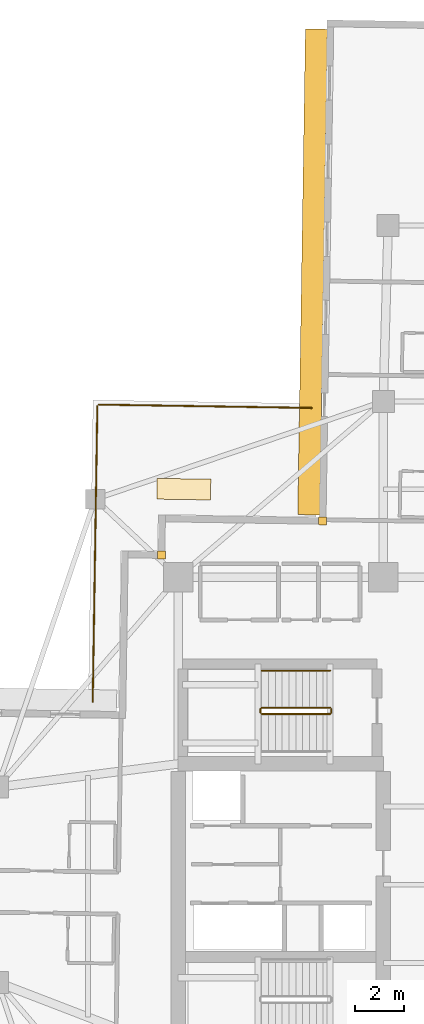
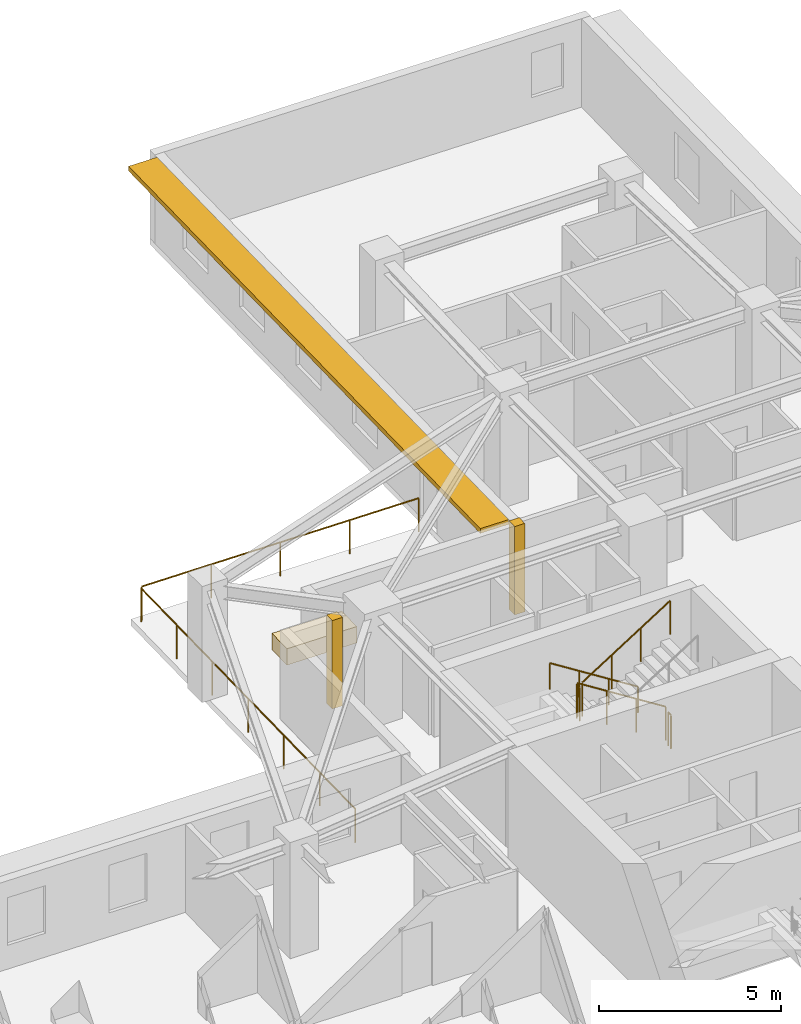
# One storey, part 12 of 13: 7 railings, 3 coverings, 1 shading device.
"""IFC4 building model written with IfcOpenShell, lengths in metres."""

from ifc_helpers import new_model, si_unit, direction, frame, origin, origin_2d, place, context, subcontext, project, spatial, rectangle, circle, extrude, material, layer, layer_set, type_object, element, save


model = new_model("IFC4")

# Units and contexts
model_context = context("Model", 3, precision=1e-05, world=origin(), true_north=direction((0.0, 1.0)))
body_context = subcontext(model_context, "Body", "Model", "MODEL_VIEW")
ifc_project = project(units=[si_unit("LENGTHUNIT", "METRE"), si_unit("AREAUNIT", "SQUARE_METRE"), si_unit("VOLUMEUNIT", "CUBIC_METRE"), si_unit("PLANEANGLEUNIT", "RADIAN"), si_unit("MASSUNIT", "GRAM", prefix="KILO")], contexts=[model_context])

# Site, building, storey
site_placement = place(None, origin())
site = spatial("IfcSite", under=ifc_project, at=site_placement, CompositionType="ELEMENT")
building_placement = place(site_placement, origin())
building = spatial("IfcBuilding", under=site, at=building_placement, Name="Qingluan Cross Belvedere", CompositionType="ELEMENT")
storey_placement = place(building_placement, frame((0.0, 0.0, 148.800048828125)))
storey = spatial("IfcBuildingStorey", under=building, at=storey_placement, Name="L37", CompositionType="ELEMENT", Elevation=148.800048828125)

# Coverings
ifc_material_1 = material(Name="Precast concrete C45", Category="concrete")
ifc_layer_1 = layer(ifc_material_1, 0.1201171875, Name="ConcreteSpandrelCladding_120")
ifc_layer_set_1 = layer_set([ifc_layer_1], Name="Precast concrete C45")
covering_type_1 = type_object("IfcCoveringType", Name="ConcreteSpandrelCladding_120", PredefinedType="CLADDING", material=ifc_layer_set_1)
for number, where, z_axis, x_axis, name in (
    (1, (-13.089599609375, 13.50732421875, 0.0), (0.0, 0.0, 1.0), (0.999876632482, -0.015707317312, 0.0), "Corner closure L37-NW1"),
    (2, (-6.48681640625, 14.90380859375, 0.0), (0.0, 0.0, 1.0), (0.999876632482, -0.015707317312, 0.0), "Corner closure L37-NW2"),
):
    element("IfcCovering", number, at=place(storey_placement, frame(where, z_axis=z_axis, x_axis=x_axis)), inside=storey, type_object=covering_type_1, Name=name, PredefinedType="CLADDING", context=body_context, shape_type="SweptSolid", body=[
        extrude(rectangle(XDim=0.320068359375, YDim=0.320068359375, at=origin_2d()), origin(), (0.0, 0.0, 1.0), 2.969970703125),
    ])

# Shading device
ifc_material_2 = material(Name="Precast concrete C45", Category="concrete")
ifc_layer_2 = layer(ifc_material_2, 0.159912109375, Name="ConcreteSunshadeBand_900")
ifc_layer_set_2 = layer_set([ifc_layer_2], Name="Precast concrete C45")
shading_device_type = type_object("IfcShadingDeviceType", Name="ConcreteSunshadeBand_900", PredefinedType="USERDEFINED", material=ifc_layer_set_2)
shading_device_placement = place(storey_placement, frame((-6.896484375, 25.101318359375, 2.7900390625), z_axis=(0.0, 0.0, 1.0), x_axis=(-0.015706483741, -0.999876645576, 0.0)))
element("IfcShadingDevice", 3, at=shading_device_placement, inside=storey, type_object=shading_device_type, Name="Concrete SUNSHADE L37-NB", ObjectType="SUNSHADE", PredefinedType="USERDEFINED", context=body_context, shape_type="SweptSolid", body=[
    extrude(rectangle(XDim=19.89990234375, YDim=0.89990234375, at=origin_2d()), origin(), (0.0, 0.0, 1.0), 0.159912109375),
])

# Railings
ifc_material_3 = material(Name="Brushed stainless steel tubular handrail", Category="steel")
railing_type_1 = type_object("IfcRailingType", Name="StairPitchHandrail_900", PredefinedType="HANDRAIL", material=ifc_material_3)
railing_1_placement = place(storey_placement, frame((-6.179931640625, 8.77001953125, 0.17724609375)))
element("IfcRailing", 4, at=railing_1_placement, inside=storey, type_object=railing_type_1, Name="L37 ST3 stair handrail 1", PredefinedType="HANDRAIL", context=body_context, shape_type="SweptSolid", body=[
    extrude(circle(Radius=0.02392578125, at=origin_2d()), frame((0.0, 0.0, 0.8759765625), z_axis=(-0.844908973607, 0.0, 0.534910110503), x_axis=(0.0, -1.0, 0.0)), (0.0, 0.0, 1.0), 3.31396484375),
    extrude(circle(Radius=0.02099609375, at=origin_2d()), origin(), (0.0, 0.0, 1.0), 0.851806640625),
    extrude(circle(Radius=0.02099609375, at=origin_2d()), frame((-0.933349609375, 0.0, 0.5908203125)), (0.0, 0.0, 1.0), 0.851806640625),
    extrude(circle(Radius=0.02099609375, at=origin_2d()), frame((-1.86669921875, 0.0, 1.181884765625)), (0.0, 0.0, 1.0), 0.851806640625),
    extrude(circle(Radius=0.02099609375, at=origin_2d()), frame((-2.800048828125, 0.0, 1.772705078125)), (0.0, 0.0, 1.0), 0.851806640625),
])
ifc_material_4 = material(Name="Painted steel stair well guard", Category="steel")
railing_type_2 = type_object("IfcRailingType", Name="StairWellGuard_1150", PredefinedType="BALUSTRADE", material=ifc_material_4)
railing_2_placement = place(storey_placement, frame((-6.179931640625, 7.25, 0.17724609375)))
element("IfcRailing", 5, at=railing_2_placement, inside=storey, type_object=railing_type_2, Name="L37 ST3 stair guard 1", PredefinedType="BALUSTRADE", context=body_context, shape_type="SweptSolid", body=[
    extrude(circle(Radius=0.02392578125, at=origin_2d()), frame((0.0, 0.0, 1.1259765625), z_axis=(-0.844908973607, 0.0, 0.534910110503), x_axis=(0.0, -1.0, 0.0)), (0.0, 0.0, 1.0), 3.31396484375),
    extrude(circle(Radius=0.02099609375, at=origin_2d()), origin(), (0.0, 0.0, 1.0), 1.101806640625),
    extrude(circle(Radius=0.02099609375, at=origin_2d()), frame((-0.933349609375, 0.0, 0.5908203125)), (0.0, 0.0, 1.0), 1.101806640625),
    extrude(circle(Radius=0.02099609375, at=origin_2d()), frame((-1.86669921875, 0.0, 1.181884765625)), (0.0, 0.0, 1.0), 1.101806640625),
    extrude(circle(Radius=0.02099609375, at=origin_2d()), frame((-2.800048828125, 0.0, 1.772705078125)), (0.0, 0.0, 1.0), 1.101806640625),
])
railing_3_placement = place(storey_placement, frame((-9.030029296875, 7.199951171875, 1.949951171875)))
element("IfcRailing", 6, at=railing_3_placement, inside=storey, type_object=railing_type_2, Name="L37 ST3 stair guard 2", PredefinedType="BALUSTRADE", context=body_context, shape_type="SweptSolid", body=[
    extrude(circle(Radius=0.02392578125, at=origin_2d()), frame((0.0, 0.0, 1.1259765625), z_axis=(0.0, -1.0, 0.0), x_axis=(1.0, 0.0, 0.0)), (0.0, 0.0, 1.0), 0.159912109375),
    extrude(circle(Radius=0.02099609375, at=origin_2d()), origin(), (0.0, 0.0, 1.0), 1.101806640625),
    extrude(circle(Radius=0.02099609375, at=origin_2d()), frame((0.0, -0.159912109375, 0.0)), (0.0, 0.0, 1.0), 1.101806640625),
])
railing_4_placement = place(storey_placement, frame((-8.97998046875, 6.989990234375, 2.127197265625)))
element("IfcRailing", 7, at=railing_4_placement, inside=storey, type_object=railing_type_2, Name="L37 ST3 stair guard 3", PredefinedType="BALUSTRADE", context=body_context, shape_type="SweptSolid", body=[
    extrude(circle(Radius=0.02392578125, at=origin_2d()), frame((0.0, 0.0, 1.1259765625), z_axis=(0.844908973607, 0.0, 0.534910110503), x_axis=(0.0, 1.0, 0.0)), (0.0, 0.0, 1.0), 3.31396484375),
    extrude(circle(Radius=0.02099609375, at=origin_2d()), origin(), (0.0, 0.0, 1.0), 1.101806640625),
    extrude(circle(Radius=0.02099609375, at=origin_2d()), frame((0.933349609375, 0.0, 0.5908203125)), (0.0, 0.0, 1.0), 1.101806640625),
    extrude(circle(Radius=0.02099609375, at=origin_2d()), frame((1.86669921875, 0.0, 1.181884765625)), (0.0, 0.0, 1.0), 1.101806640625),
    extrude(circle(Radius=0.02099609375, at=origin_2d()), frame((2.800048828125, 0.0, 1.772705078125)), (0.0, 0.0, 1.0), 1.101806640625),
])
railing_5_placement = place(storey_placement, frame((-6.1298828125, 7.199951171875, 0.0)))
element("IfcRailing", 8, at=railing_5_placement, inside=storey, type_object=railing_type_2, Name="L37 ST3 stair guard 4", PredefinedType="BALUSTRADE", context=body_context, shape_type="SweptSolid", body=[
    extrude(circle(Radius=0.02392578125, at=origin_2d()), frame((0.0, 0.0, 1.1259765625), z_axis=(0.0, -1.0, 0.0), x_axis=(1.0, 0.0, 0.0)), (0.0, 0.0, 1.0), 0.159912109375),
    extrude(circle(Radius=0.02099609375, at=origin_2d()), origin(), (0.0, 0.0, 1.0), 1.101806640625),
    extrude(circle(Radius=0.02099609375, at=origin_2d()), frame((0.0, -0.159912109375, 0.0)), (0.0, 0.0, 1.0), 1.101806640625),
])
ifc_material_5 = material(Name="Laminated glass and stainless steel balustrade", Category="steel")
railing_type_3 = type_object("IfcRailingType", Name="TerraceGuardBalustrade_1150", PredefinedType="BALUSTRADE", material=ifc_material_5)
railing_6_placement = place(storey_placement, frame((-15.904296875, 7.49072265625, 0.0)))
element("IfcRailing", 9, at=railing_6_placement, inside=storey, type_object=railing_type_3, Name="Terrace guard L37-1", PredefinedType="BALUSTRADE", context=body_context, shape_type="SweptSolid", body=[
    extrude(circle(Radius=0.02392578125, at=origin_2d()), frame((0.0, 0.0, 1.1259765625), z_axis=(0.015712144452, 0.999876556639, 0.0), x_axis=(-0.999876556639, 0.015712144452, 0.0)), (0.0, 0.0, 1.0), 12.119873046875),
    extrude(circle(Radius=0.02099609375, at=origin_2d()), origin(), (0.0, 0.0, 1.0), 1.101806640625),
    extrude(circle(Radius=0.02099609375, at=origin_2d()), frame((0.03173828125, 2.019775390625, 0.0)), (0.0, 0.0, 1.0), 1.101806640625),
    extrude(circle(Radius=0.02099609375, at=origin_2d()), frame((0.0634765625, 4.03955078125, 0.0)), (0.0, 0.0, 1.0), 1.101806640625),
    extrude(circle(Radius=0.02099609375, at=origin_2d()), frame((0.09521484375, 6.05908203125, 0.0)), (0.0, 0.0, 1.0), 1.101806640625),
    extrude(circle(Radius=0.02099609375, at=origin_2d()), frame((0.126953125, 8.078857421875, 0.0)), (0.0, 0.0, 1.0), 1.101806640625),
    extrude(circle(Radius=0.02099609375, at=origin_2d()), frame((0.15869140625, 10.0986328125, 0.0)), (0.0, 0.0, 1.0), 1.101806640625),
    extrude(circle(Radius=0.02099609375, at=origin_2d()), frame((0.1904296875, 12.118408203125, 0.0)), (0.0, 0.0, 1.0), 1.101806640625),
])
railing_7_placement = place(storey_placement, frame((-15.653076171875, 19.668212890625, 0.0)))
element("IfcRailing", 10, at=railing_7_placement, inside=storey, type_object=railing_type_3, Name="Terrace guard L37-2", PredefinedType="BALUSTRADE", context=body_context, shape_type="SweptSolid", body=[
    extrude(circle(Radius=0.02392578125, at=origin_2d()), frame((0.0, 0.0, 1.1259765625), z_axis=(0.999876643314, -0.015706627752, 0.0), x_axis=(0.015706627752, 0.999876643314, 0.0)), (0.0, 0.0, 1.0), 8.719970703125),
    extrude(circle(Radius=0.02099609375, at=origin_2d()), origin(), (0.0, 0.0, 1.0), 1.101806640625),
    extrude(circle(Radius=0.02099609375, at=origin_2d()), frame((2.1796875, -0.0341796875, 0.0)), (0.0, 0.0, 1.0), 1.101806640625),
    extrude(circle(Radius=0.02099609375, at=origin_2d()), frame((4.359375, -0.068359375, 0.0)), (0.0, 0.0, 1.0), 1.101806640625),
    extrude(circle(Radius=0.02099609375, at=origin_2d()), frame((6.539306640625, -0.102783203125, 0.0)), (0.0, 0.0, 1.0), 1.101806640625),
    extrude(circle(Radius=0.02099609375, at=origin_2d()), frame((8.718994140625, -0.136962890625, 0.0)), (0.0, 0.0, 1.0), 1.101806640625),
])

# Covering
ifc_material_6 = material(Name="Precast concrete C40", Category="concrete")
ifc_layer_3 = layer(ifc_material_6, 0.550048828125, Name="TerracePlanterBox")
ifc_layer_set_3 = layer_set([ifc_layer_3], Name="Precast concrete C40")
covering_type_2 = type_object("IfcCoveringType", Name="TerracePlanterBox", PredefinedType="USERDEFINED", material=ifc_layer_set_3)
covering_placement = place(storey_placement, frame((-12.172119140625, 16.202880859375, 0.0), z_axis=(0.0, 0.0, 1.0), x_axis=(0.999876632482, -0.015707317312, 0.0)))
element("IfcCovering", 11, at=covering_placement, inside=storey, type_object=covering_type_2, Name="Spiralling winter-garden planter L37", ObjectType="PLANTER", PredefinedType="USERDEFINED", context=body_context, shape_type="SweptSolid", body=[
    extrude(rectangle(XDim=2.199951171875, YDim=0.85009765625, at=origin_2d()), origin(), (0.0, 0.0, 1.0), 0.550048828125),
])

save(model, "model.ifc")
